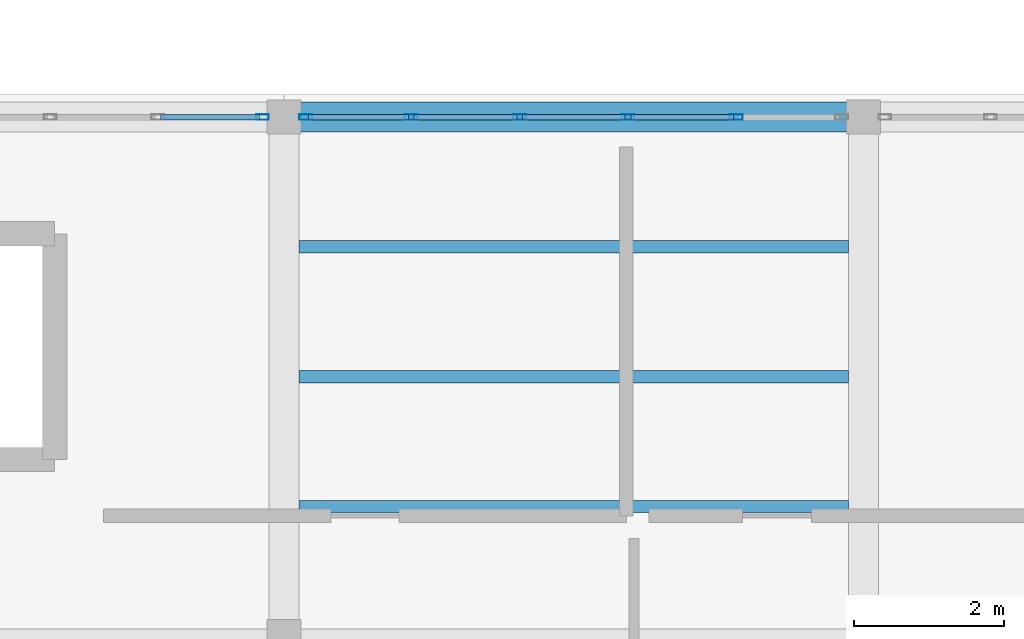
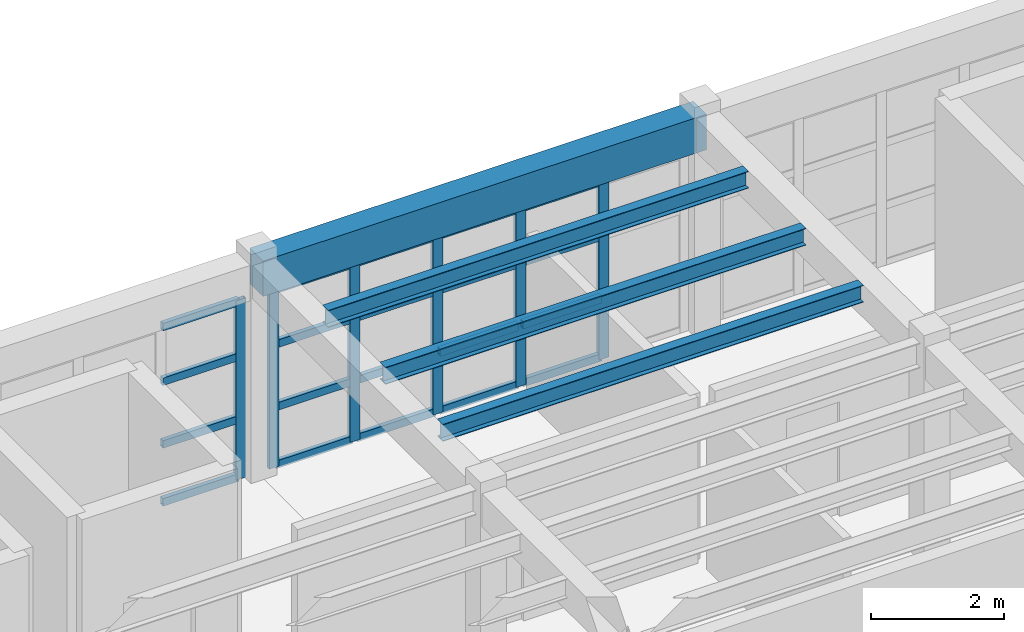
# One storey, part 13 of 66: 26 members, 4 beams, 2 elements without a shape of their own.
"""IFC4 building model written with IfcOpenShell, lengths in metres."""

from ifc_helpers import new_model, si_unit, direction, frame, origin, origin_2d, place, context, subcontext, project, spatial, rectangle, hollow_rectangle, i_section, extrude, material, layer, layer_set, material_profile, profile_set, type_object, element, aggregate, save


model = new_model("IFC4")

# Units and contexts
model_context = context("Model", 3, precision=1e-05, world=origin(), true_north=direction((0.0, 1.0)))
body_context = subcontext(model_context, "Body", "Model", "MODEL_VIEW")
ifc_project = project(units=[si_unit("LENGTHUNIT", "METRE"), si_unit("AREAUNIT", "SQUARE_METRE"), si_unit("VOLUMEUNIT", "CUBIC_METRE"), si_unit("PLANEANGLEUNIT", "RADIAN"), si_unit("MASSUNIT", "GRAM", prefix="KILO")], contexts=[model_context])

# Site, building, storey
site_placement = place(None, origin())
site = spatial("IfcSite", under=ifc_project, at=site_placement, CompositionType="ELEMENT")
building_placement = place(site_placement, origin())
building = spatial("IfcBuilding", under=site, at=building_placement, Name="Candilejo Ridge Gondola Terminal", CompositionType="ELEMENT")
storey_placement = place(building_placement, frame((0.0, 0.0, 14.39990234375)))
storey = spatial("IfcBuildingStorey", under=building, at=storey_placement, Name="L03", CompositionType="ELEMENT", Elevation=14.39990234375)

# Curtain wall, member
ifc_material_1 = material(Name="Anodised aluminium AA 6063-T6", Category="aluminium")
ifc_layer_1 = layer(ifc_material_1, 0.169921875)
ifc_layer_set_1 = layer_set([ifc_layer_1], Name="ARC-CW-GALLERY-3200-715X329")
curtain_wall_type_1 = type_object("IfcCurtainWallType", Name="ARC-CW-GALLERY-3200-715X329", PredefinedType="NOTDEFINED", material=ifc_layer_set_1)
curtain_wall_1_placement = place(storey_placement, origin())
curtain_wall_1 = element("IfcCurtainWall", 1, at=curtain_wall_1_placement, inside=storey, type_object=curtain_wall_type_1, Name="Curtain wall V3 L03-096", PredefinedType="NOTDEFINED")
ifc_material_2 = material(Name="Anodised aluminium AA 6063-T6", Category="aluminium")
ifc_material_profile_1 = material_profile(ifc_material_2, hollow_rectangle(XDim=0.074951171875, YDim=0.169921875, WallThickness=0.00390625, at=origin_2d()))
ifc_profile_set_1 = profile_set([ifc_material_profile_1], Name="Anodised aluminium AA 6063-T6")
member_type_1 = type_object("IfcMemberType", Name="ARC-CW-MULLION", PredefinedType="MULLION", material=ifc_profile_set_1)
member_1_placement = place(storey_placement, frame((109.5625, 36.699951171875, 0.0), z_axis=(0.0, 0.0, 1.0), x_axis=(0.0, 1.0, 0.0)))
member_1 = element("IfcMember", 2, at=member_1_placement, type_object=member_type_1, Name="CW-71X32 mullion 6", PredefinedType="MULLION", context=body_context, shape_type="SweptSolid", body=[
    extrude(hollow_rectangle(XDim=0.074951171875, YDim=0.169921875, WallThickness=0.00390625, at=origin_2d()), origin(), (0.0, 0.0, 1.0), 3.2900390625),
])

# Curtain wall, members
ifc_material_3 = material(Name="Anodised aluminium AA 6063-T6", Category="aluminium")
ifc_layer_2 = layer(ifc_material_3, 0.169921875)
ifc_layer_set_2 = layer_set([ifc_layer_2], Name="ARC-CW-GALLERY-3200-720X329")
curtain_wall_type_2 = type_object("IfcCurtainWallType", Name="ARC-CW-GALLERY-3200-720X329", PredefinedType="NOTDEFINED", material=ifc_layer_set_2)
curtain_wall_2_placement = place(storey_placement, origin())
curtain_wall_2 = element("IfcCurtainWall", 3, at=curtain_wall_2_placement, inside=storey, type_object=curtain_wall_type_2, Name="Curtain wall V3 L03-097", PredefinedType="NOTDEFINED")
member_2_placement = place(storey_placement, frame((110.137451171875, 36.699951171875, 0.0), z_axis=(0.0, 0.0, 1.0), x_axis=(0.0, 1.0, 0.0)))
member_2 = element("IfcMember", 4, at=member_2_placement, type_object=member_type_1, Name="CW-72X32 mullion 1", PredefinedType="MULLION", context=body_context, shape_type="SweptSolid", body=[
    extrude(hollow_rectangle(XDim=0.074951171875, YDim=0.169921875, WallThickness=0.00390625, at=origin_2d()), origin(), (0.0, 0.0, 1.0), 3.2900390625),
])
member_3_placement = place(storey_placement, frame((111.5400390625, 36.699951171875, 0.0), z_axis=(0.0, 0.0, 1.0), x_axis=(0.0, 1.0, 0.0)))
member_3 = element("IfcMember", 5, at=member_3_placement, type_object=member_type_1, Name="CW-72X32 mullion 2", PredefinedType="MULLION", context=body_context, shape_type="SweptSolid", body=[
    extrude(hollow_rectangle(XDim=0.074951171875, YDim=0.169921875, WallThickness=0.00390625, at=origin_2d()), origin(), (0.0, 0.0, 1.0), 3.2900390625),
])
member_4_placement = place(storey_placement, frame((112.97998046875, 36.699951171875, 0.0), z_axis=(0.0, 0.0, 1.0), x_axis=(0.0, 1.0, 0.0)))
member_4 = element("IfcMember", 6, at=member_4_placement, type_object=member_type_1, Name="CW-72X32 mullion 3", PredefinedType="MULLION", context=body_context, shape_type="SweptSolid", body=[
    extrude(hollow_rectangle(XDim=0.074951171875, YDim=0.169921875, WallThickness=0.00390625, at=origin_2d()), origin(), (0.0, 0.0, 1.0), 3.2900390625),
])
member_5_placement = place(storey_placement, frame((114.419921875, 36.699951171875, 0.0), z_axis=(0.0, 0.0, 1.0), x_axis=(0.0, 1.0, 0.0)))
member_5 = element("IfcMember", 7, at=member_5_placement, type_object=member_type_1, Name="CW-72X32 mullion 4", PredefinedType="MULLION", context=body_context, shape_type="SweptSolid", body=[
    extrude(hollow_rectangle(XDim=0.074951171875, YDim=0.169921875, WallThickness=0.00390625, at=origin_2d()), origin(), (0.0, 0.0, 1.0), 3.2900390625),
])
member_6_placement = place(storey_placement, frame((115.860107421875, 36.699951171875, 0.0), z_axis=(0.0, 0.0, 1.0), x_axis=(0.0, 1.0, 0.0)))
member_6 = element("IfcMember", 8, at=member_6_placement, type_object=member_type_1, Name="CW-72X32 mullion 5", PredefinedType="MULLION", context=body_context, shape_type="SweptSolid", body=[
    extrude(hollow_rectangle(XDim=0.074951171875, YDim=0.169921875, WallThickness=0.00390625, at=origin_2d()), origin(), (0.0, 0.0, 1.0), 3.2900390625),
])

# Member
ifc_material_4 = material(Name="Anodised aluminium AA 6063-T6", Category="aluminium")
ifc_material_profile_2 = material_profile(ifc_material_4, hollow_rectangle(XDim=0.074951171875, YDim=0.139892578125, WallThickness=0.00390625, at=origin_2d()))
ifc_profile_set_2 = profile_set([ifc_material_profile_2], Name="Anodised aluminium AA 6063-T6")
member_type_2 = type_object("IfcMemberType", Name="ARC-CW-TRANSOM", PredefinedType="USERDEFINED", material=ifc_profile_set_2)
member_7_placement = place(storey_placement, frame((108.20751953125, 36.699951171875, 0.03759765625), z_axis=(1.0, 0.0, 0.0), x_axis=(0.0, 1.0, 0.0)))
member_7 = element("IfcMember", 9, at=member_7_placement, type_object=member_type_2, Name="CW-71X32 transom 5.1", ObjectType="TRANSOM", PredefinedType="USERDEFINED", context=body_context, shape_type="SweptSolid", body=[
    extrude(hollow_rectangle(XDim=0.074951171875, YDim=0.139892578125, WallThickness=0.00390625, at=origin_2d()), origin(), (0.0, 0.0, 1.0), 1.3173828125),
])

member_8_placement = place(storey_placement, frame((108.20751953125, 36.699951171875, 1.10009765625), z_axis=(1.0, 0.0, 0.0), x_axis=(0.0, 1.0, 0.0)))
member_8 = element("IfcMember", 10, at=member_8_placement, type_object=member_type_2, Name="CW-71X32 transom 5.2", ObjectType="TRANSOM", PredefinedType="USERDEFINED", context=body_context, shape_type="SweptSolid", body=[
    extrude(hollow_rectangle(XDim=0.074951171875, YDim=0.139892578125, WallThickness=0.00390625, at=origin_2d()), origin(), (0.0, 0.0, 1.0), 1.3173828125),
])

member_9_placement = place(storey_placement, frame((108.20751953125, 36.699951171875, 2.25), z_axis=(1.0, 0.0, 0.0), x_axis=(0.0, 1.0, 0.0)))
member_9 = element("IfcMember", 11, at=member_9_placement, type_object=member_type_2, Name="CW-71X32 transom 5.3", ObjectType="TRANSOM", PredefinedType="USERDEFINED", context=body_context, shape_type="SweptSolid", body=[
    extrude(hollow_rectangle(XDim=0.074951171875, YDim=0.139892578125, WallThickness=0.00390625, at=origin_2d()), origin(), (0.0, 0.0, 1.0), 1.3173828125),
])

member_10_placement = place(storey_placement, frame((108.20751953125, 36.699951171875, 3.252685546875), z_axis=(1.0, 0.0, 0.0), x_axis=(0.0, 1.0, 0.0)))
member_10 = element("IfcMember", 12, at=member_10_placement, type_object=member_type_2, Name="CW-71X32 transom 5.4", ObjectType="TRANSOM", PredefinedType="USERDEFINED", context=body_context, shape_type="SweptSolid", body=[
    extrude(hollow_rectangle(XDim=0.074951171875, YDim=0.139892578125, WallThickness=0.00390625, at=origin_2d()), origin(), (0.0, 0.0, 1.0), 1.3173828125),
])

aggregate(curtain_wall_1, [member_1, member_7, member_8, member_9, member_10])

member_11_placement = place(storey_placement, frame((110.175048828125, 36.699951171875, 0.03759765625), z_axis=(1.0, 0.0, 0.0), x_axis=(0.0, 1.0, 0.0)))
member_11 = element("IfcMember", 13, at=member_11_placement, type_object=member_type_2, Name="CW-72X32 transom 1.1", ObjectType="TRANSOM", PredefinedType="USERDEFINED", context=body_context, shape_type="SweptSolid", body=[
    extrude(hollow_rectangle(XDim=0.074951171875, YDim=0.139892578125, WallThickness=0.00390625, at=origin_2d()), origin(), (0.0, 0.0, 1.0), 1.327392578125),
])

member_12_placement = place(storey_placement, frame((110.175048828125, 36.699951171875, 1.10009765625), z_axis=(1.0, 0.0, 0.0), x_axis=(0.0, 1.0, 0.0)))
member_12 = element("IfcMember", 14, at=member_12_placement, type_object=member_type_2, Name="CW-72X32 transom 1.2", ObjectType="TRANSOM", PredefinedType="USERDEFINED", context=body_context, shape_type="SweptSolid", body=[
    extrude(hollow_rectangle(XDim=0.074951171875, YDim=0.139892578125, WallThickness=0.00390625, at=origin_2d()), origin(), (0.0, 0.0, 1.0), 1.327392578125),
])

member_13_placement = place(storey_placement, frame((110.175048828125, 36.699951171875, 2.25), z_axis=(1.0, 0.0, 0.0), x_axis=(0.0, 1.0, 0.0)))
member_13 = element("IfcMember", 15, at=member_13_placement, type_object=member_type_2, Name="CW-72X32 transom 1.3", ObjectType="TRANSOM", PredefinedType="USERDEFINED", context=body_context, shape_type="SweptSolid", body=[
    extrude(hollow_rectangle(XDim=0.074951171875, YDim=0.139892578125, WallThickness=0.00390625, at=origin_2d()), origin(), (0.0, 0.0, 1.0), 1.327392578125),
])

member_14_placement = place(storey_placement, frame((110.175048828125, 36.699951171875, 3.252685546875), z_axis=(1.0, 0.0, 0.0), x_axis=(0.0, 1.0, 0.0)))
member_14 = element("IfcMember", 16, at=member_14_placement, type_object=member_type_2, Name="CW-72X32 transom 1.4", ObjectType="TRANSOM", PredefinedType="USERDEFINED", context=body_context, shape_type="SweptSolid", body=[
    extrude(hollow_rectangle(XDim=0.074951171875, YDim=0.139892578125, WallThickness=0.00390625, at=origin_2d()), origin(), (0.0, 0.0, 1.0), 1.327392578125),
])

member_15_placement = place(storey_placement, frame((111.577392578125, 36.699951171875, 0.03759765625), z_axis=(1.0, 0.0, 0.0), x_axis=(0.0, 1.0, 0.0)))
member_15 = element("IfcMember", 17, at=member_15_placement, type_object=member_type_2, Name="CW-72X32 transom 2.1", ObjectType="TRANSOM", PredefinedType="USERDEFINED", context=body_context, shape_type="SweptSolid", body=[
    extrude(hollow_rectangle(XDim=0.074951171875, YDim=0.139892578125, WallThickness=0.00390625, at=origin_2d()), origin(), (0.0, 0.0, 1.0), 1.364990234375),
])

member_16_placement = place(storey_placement, frame((111.577392578125, 36.699951171875, 1.10009765625), z_axis=(1.0, 0.0, 0.0), x_axis=(0.0, 1.0, 0.0)))
member_16 = element("IfcMember", 18, at=member_16_placement, type_object=member_type_2, Name="CW-72X32 transom 2.2", ObjectType="TRANSOM", PredefinedType="USERDEFINED", context=body_context, shape_type="SweptSolid", body=[
    extrude(hollow_rectangle(XDim=0.074951171875, YDim=0.139892578125, WallThickness=0.00390625, at=origin_2d()), origin(), (0.0, 0.0, 1.0), 1.364990234375),
])

member_17_placement = place(storey_placement, frame((111.577392578125, 36.699951171875, 2.25), z_axis=(1.0, 0.0, 0.0), x_axis=(0.0, 1.0, 0.0)))
member_17 = element("IfcMember", 19, at=member_17_placement, type_object=member_type_2, Name="CW-72X32 transom 2.3", ObjectType="TRANSOM", PredefinedType="USERDEFINED", context=body_context, shape_type="SweptSolid", body=[
    extrude(hollow_rectangle(XDim=0.074951171875, YDim=0.139892578125, WallThickness=0.00390625, at=origin_2d()), origin(), (0.0, 0.0, 1.0), 1.364990234375),
])

member_18_placement = place(storey_placement, frame((111.577392578125, 36.699951171875, 3.252685546875), z_axis=(1.0, 0.0, 0.0), x_axis=(0.0, 1.0, 0.0)))
member_18 = element("IfcMember", 20, at=member_18_placement, type_object=member_type_2, Name="CW-72X32 transom 2.4", ObjectType="TRANSOM", PredefinedType="USERDEFINED", context=body_context, shape_type="SweptSolid", body=[
    extrude(hollow_rectangle(XDim=0.074951171875, YDim=0.139892578125, WallThickness=0.00390625, at=origin_2d()), origin(), (0.0, 0.0, 1.0), 1.364990234375),
])

member_19_placement = place(storey_placement, frame((113.017578125, 36.699951171875, 0.03759765625), z_axis=(1.0, 0.0, 0.0), x_axis=(0.0, 1.0, 0.0)))
member_19 = element("IfcMember", 21, at=member_19_placement, type_object=member_type_2, Name="CW-72X32 transom 3.1", ObjectType="TRANSOM", PredefinedType="USERDEFINED", context=body_context, shape_type="SweptSolid", body=[
    extrude(hollow_rectangle(XDim=0.074951171875, YDim=0.139892578125, WallThickness=0.00390625, at=origin_2d()), origin(), (0.0, 0.0, 1.0), 1.364990234375),
])

member_20_placement = place(storey_placement, frame((113.017578125, 36.699951171875, 1.10009765625), z_axis=(1.0, 0.0, 0.0), x_axis=(0.0, 1.0, 0.0)))
member_20 = element("IfcMember", 22, at=member_20_placement, type_object=member_type_2, Name="CW-72X32 transom 3.2", ObjectType="TRANSOM", PredefinedType="USERDEFINED", context=body_context, shape_type="SweptSolid", body=[
    extrude(hollow_rectangle(XDim=0.074951171875, YDim=0.139892578125, WallThickness=0.00390625, at=origin_2d()), origin(), (0.0, 0.0, 1.0), 1.364990234375),
])

member_21_placement = place(storey_placement, frame((113.017578125, 36.699951171875, 2.25), z_axis=(1.0, 0.0, 0.0), x_axis=(0.0, 1.0, 0.0)))
member_21 = element("IfcMember", 23, at=member_21_placement, type_object=member_type_2, Name="CW-72X32 transom 3.3", ObjectType="TRANSOM", PredefinedType="USERDEFINED", context=body_context, shape_type="SweptSolid", body=[
    extrude(hollow_rectangle(XDim=0.074951171875, YDim=0.139892578125, WallThickness=0.00390625, at=origin_2d()), origin(), (0.0, 0.0, 1.0), 1.364990234375),
])

member_22_placement = place(storey_placement, frame((113.017578125, 36.699951171875, 3.252685546875), z_axis=(1.0, 0.0, 0.0), x_axis=(0.0, 1.0, 0.0)))
member_22 = element("IfcMember", 24, at=member_22_placement, type_object=member_type_2, Name="CW-72X32 transom 3.4", ObjectType="TRANSOM", PredefinedType="USERDEFINED", context=body_context, shape_type="SweptSolid", body=[
    extrude(hollow_rectangle(XDim=0.074951171875, YDim=0.139892578125, WallThickness=0.00390625, at=origin_2d()), origin(), (0.0, 0.0, 1.0), 1.364990234375),
])

member_23_placement = place(storey_placement, frame((114.45751953125, 36.699951171875, 0.03759765625), z_axis=(1.0, 0.0, 0.0), x_axis=(0.0, 1.0, 0.0)))
member_23 = element("IfcMember", 25, at=member_23_placement, type_object=member_type_2, Name="CW-72X32 transom 4.1", ObjectType="TRANSOM", PredefinedType="USERDEFINED", context=body_context, shape_type="SweptSolid", body=[
    extrude(hollow_rectangle(XDim=0.074951171875, YDim=0.139892578125, WallThickness=0.00390625, at=origin_2d()), origin(), (0.0, 0.0, 1.0), 1.364990234375),
])

member_24_placement = place(storey_placement, frame((114.45751953125, 36.699951171875, 1.10009765625), z_axis=(1.0, 0.0, 0.0), x_axis=(0.0, 1.0, 0.0)))
member_24 = element("IfcMember", 26, at=member_24_placement, type_object=member_type_2, Name="CW-72X32 transom 4.2", ObjectType="TRANSOM", PredefinedType="USERDEFINED", context=body_context, shape_type="SweptSolid", body=[
    extrude(hollow_rectangle(XDim=0.074951171875, YDim=0.139892578125, WallThickness=0.00390625, at=origin_2d()), origin(), (0.0, 0.0, 1.0), 1.364990234375),
])

member_25_placement = place(storey_placement, frame((114.45751953125, 36.699951171875, 2.25), z_axis=(1.0, 0.0, 0.0), x_axis=(0.0, 1.0, 0.0)))
member_25 = element("IfcMember", 27, at=member_25_placement, type_object=member_type_2, Name="CW-72X32 transom 4.3", ObjectType="TRANSOM", PredefinedType="USERDEFINED", context=body_context, shape_type="SweptSolid", body=[
    extrude(hollow_rectangle(XDim=0.074951171875, YDim=0.139892578125, WallThickness=0.00390625, at=origin_2d()), origin(), (0.0, 0.0, 1.0), 1.364990234375),
])

member_26_placement = place(storey_placement, frame((114.45751953125, 36.699951171875, 3.252685546875), z_axis=(1.0, 0.0, 0.0), x_axis=(0.0, 1.0, 0.0)))
member_26 = element("IfcMember", 28, at=member_26_placement, type_object=member_type_2, Name="CW-72X32 transom 4.4", ObjectType="TRANSOM", PredefinedType="USERDEFINED", context=body_context, shape_type="SweptSolid", body=[
    extrude(hollow_rectangle(XDim=0.074951171875, YDim=0.139892578125, WallThickness=0.00390625, at=origin_2d()), origin(), (0.0, 0.0, 1.0), 1.364990234375),
])

aggregate(curtain_wall_2, [member_2, member_3, member_4, member_5, member_6, member_11, member_12, member_13, member_14, member_15, member_16, member_17, member_18, member_19, member_20, member_21, member_22, member_23, member_24, member_25, member_26])

# Beams
ifc_material_5 = material(Name="Steel ASTM A992 Grade 50", Category="steel")
ifc_material_profile_3 = material_profile(ifc_material_5, i_section(OverallWidth=0.166015625, OverallDepth=0.31298828125, WebThickness=0.006591796875, FlangeThickness=0.01123046875, at=origin_2d()))
ifc_profile_set_3 = profile_set([ifc_material_profile_3], Name="Steel ASTM A992 Grade 50")
beam_type_1 = type_object("IfcBeamType", Name="STR-JST-W310X44", PredefinedType="JOIST", material=ifc_profile_set_3)
for number, where, z_axis, x_axis, name in (
    (29, (110.050048828125, 31.52490234375, 3.83349609375), (1.0, 0.0, 0.0), (0.0, 1.0, 0.0), "Composite joist V3 L03-0631"),
    (30, (110.050048828125, 33.25, 3.83349609375), (1.0, 0.0, 0.0), (0.0, 1.0, 0.0), "Composite joist V3 L03-0632"),
    (31, (110.050048828125, 34.97509765625, 3.83349609375), (1.0, 0.0, 0.0), (0.0, 1.0, 0.0), "Composite joist V3 L03-0633"),
):
    element("IfcBeam", number, at=place(storey_placement, frame(where, z_axis=z_axis, x_axis=x_axis)), inside=storey, type_object=beam_type_1, Name=name, PredefinedType="JOIST", context=body_context, shape_type="SweptSolid", body=[
        extrude(i_section(OverallWidth=0.166015625, OverallDepth=0.31298828125, WebThickness=0.006591796875, FlangeThickness=0.01123046875, at=origin_2d()), origin(), (0.0, 0.0, 1.0), 7.300048828125),
    ])
ifc_material_6 = material(Name="Concrete f'c 35 MPa (C35/45)", Category="concrete")
ifc_material_profile_4 = material_profile(ifc_material_6, rectangle(XDim=0.39990234375, YDim=0.64990234375, at=origin_2d()))
ifc_profile_set_4 = profile_set([ifc_material_profile_4], Name="Concrete f'c 35 MPa (C35/45)")
beam_type_2 = type_object("IfcBeamType", Name="STR-SPN-RC400X650", PredefinedType="SPANDREL", material=ifc_profile_set_4)
beam_placement = place(storey_placement, frame((109.85009765625, 36.699951171875, 3.6650390625), z_axis=(1.0, 0.0, 0.0), x_axis=(0.0, 1.0, 0.0)))
element("IfcBeam", 32, at=beam_placement, inside=storey, type_object=beam_type_2, Name="Beam X V3 L03 X17-X18@Y07", PredefinedType="SPANDREL", context=body_context, shape_type="SweptSolid", body=[
    extrude(rectangle(XDim=0.39990234375, YDim=0.64990234375, at=origin_2d()), origin(), (0.0, 0.0, 1.0), 7.699951171875),
])

save(model, "model.ifc")
